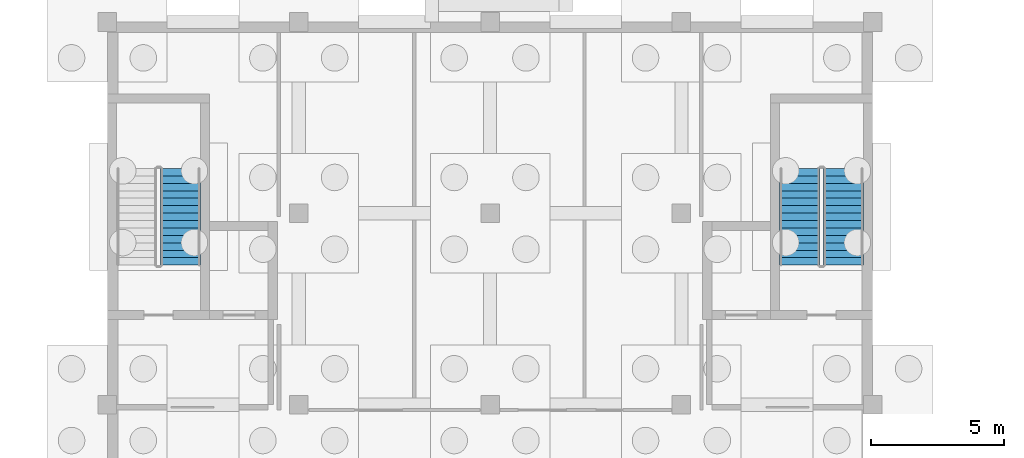
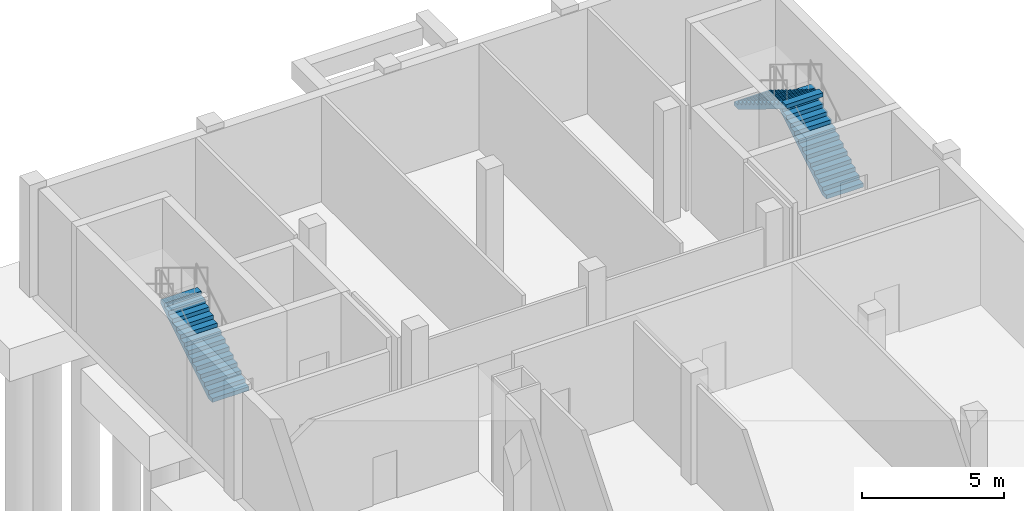
# One storey, part 26 of 35: 3 stair flights, 2 elements without a shape of their own.
"""IFC4 building model written with IfcOpenShell, lengths in metres."""

from ifc_helpers import new_model, si_unit, direction, frame, origin, place, context, subcontext, project, spatial, polyline, outline, extrude, material, type_object, element, aggregate, save


model = new_model("IFC4")

# Units and contexts
model_context = context("Model", 3, precision=1e-05, world=origin(), true_north=direction((0.0, 1.0)))
body_context = subcontext(model_context, "Body", "Model", "MODEL_VIEW")
ifc_project = project(units=[si_unit("LENGTHUNIT", "METRE"), si_unit("AREAUNIT", "SQUARE_METRE"), si_unit("VOLUMEUNIT", "CUBIC_METRE"), si_unit("PLANEANGLEUNIT", "RADIAN"), si_unit("MASSUNIT", "GRAM", prefix="KILO")], contexts=[model_context])

# Site, building, storey
site_placement = place(None, origin())
site = spatial("IfcSite", under=ifc_project, at=site_placement, CompositionType="ELEMENT")
building_placement = place(site_placement, origin())
building = spatial("IfcBuilding", under=site, at=building_placement, Name="Zarrinpeak Specialist Clinic", CompositionType="ELEMENT")
storey_placement = place(building_placement, frame((0.0, 0.0, -4.800048828125)))
storey = spatial("IfcBuildingStorey", under=building, at=storey_placement, Name="B01", CompositionType="ELEMENT", Elevation=-4.800048828125)

# Stair, stair flight
ifc_material = material(Name="Concrete C35/45", Category="concrete")
stair_type = type_object("IfcStairType", Name="ST-DOG", PredefinedType="HALF_TURN_STAIR", material=ifc_material)
stair_1_placement = place(storey_placement, origin())
stair_1 = element("IfcStair", 1, at=stair_1_placement, inside=storey, type_object=stair_type, Name="B01 Protected Exit Stair ST-11", PredefinedType="HALF_TURN_STAIR")
stair_flight_type = type_object("IfcStairFlightType", Name="STF-150", PredefinedType="STRAIGHT", material=ifc_material)
stair_flight_1_placement = place(storey_placement, frame((38.75, 108.85009765625, 0.0), z_axis=(0.0, 0.0, 1.0), x_axis=(0.0, 1.0, 0.0)))
stair_flight_1 = element("IfcStairFlight", 2, at=stair_flight_1_placement, type_object=stair_flight_type, Name="ST-11 flight 1", NumberOfRisers=14, NumberOfTreads=13, PredefinedType="STRAIGHT", RiserHeight=0.171428571, TreadLength=0.28, context=body_context, shape_type="SweptSolid", body=[
    extrude(outline(polyline([(0.0, 0.0), (0.0, 0.17138671875), (0.280029296875, 0.17138671875), (0.280029296875, 0.3427734375), (0.56005859375, 0.3427734375), (0.56005859375, 0.514404296875), (0.840087890625, 0.514404296875), (0.840087890625, 0.685791015625), (1.1201171875, 0.685791015625), (1.1201171875, 0.857177734375), (1.39990234375, 0.857177734375), (1.39990234375, 1.028564453125), (1.679931640625, 1.028564453125), (1.679931640625, 1.199951171875), (1.9599609375, 1.199951171875), (1.9599609375, 1.371337890625), (2.239990234375, 1.371337890625), (2.239990234375, 1.54296875), (2.52001953125, 1.54296875), (2.52001953125, 1.71435546875), (2.800048828125, 1.71435546875), (2.800048828125, 1.8857421875), (3.080078125, 1.8857421875), (3.080078125, 2.05712890625), (3.360107421875, 2.05712890625), (3.360107421875, 2.228515625), (3.639892578125, 2.228515625), (3.639892578125, 2.39990234375), (3.639892578125, 2.052734375), (0.287109375, 0.0), (0.0, 0.0)])), frame((0.0, 0.75, 0.0), z_axis=(0.0, -1.0, 0.0), x_axis=(1.0, 0.0, 0.0)), (0.0, 0.0, 1.0), 1.5),
])
aggregate(stair_1, [stair_flight_1])

# Stair, stair flights
stair_2_placement = place(storey_placement, origin())
stair_2 = element("IfcStair", 3, at=stair_2_placement, inside=storey, type_object=stair_type, Name="B01 Protected Exit Stair ST-12", PredefinedType="HALF_TURN_STAIR")
stair_flight_2_placement = place(storey_placement, frame((63.699951171875, 108.85009765625, 0.0), z_axis=(0.0, 0.0, 1.0), x_axis=(0.0, 1.0, 0.0)))
stair_flight_2 = element("IfcStairFlight", 4, at=stair_flight_2_placement, type_object=stair_flight_type, Name="ST-12 flight 1", NumberOfRisers=14, NumberOfTreads=13, PredefinedType="STRAIGHT", RiserHeight=0.171428571, TreadLength=0.28, context=body_context, shape_type="SweptSolid", body=[
    extrude(outline(polyline([(0.0, 0.0), (0.0, 0.17138671875), (0.280029296875, 0.17138671875), (0.280029296875, 0.3427734375), (0.56005859375, 0.3427734375), (0.56005859375, 0.514404296875), (0.840087890625, 0.514404296875), (0.840087890625, 0.685791015625), (1.1201171875, 0.685791015625), (1.1201171875, 0.857177734375), (1.39990234375, 0.857177734375), (1.39990234375, 1.028564453125), (1.679931640625, 1.028564453125), (1.679931640625, 1.199951171875), (1.9599609375, 1.199951171875), (1.9599609375, 1.371337890625), (2.239990234375, 1.371337890625), (2.239990234375, 1.54296875), (2.52001953125, 1.54296875), (2.52001953125, 1.71435546875), (2.800048828125, 1.71435546875), (2.800048828125, 1.8857421875), (3.080078125, 1.8857421875), (3.080078125, 2.05712890625), (3.360107421875, 2.05712890625), (3.360107421875, 2.228515625), (3.639892578125, 2.228515625), (3.639892578125, 2.39990234375), (3.639892578125, 2.052734375), (0.287109375, 0.0), (0.0, 0.0)])), frame((0.0, 0.75, 0.0), z_axis=(0.0, -1.0, 0.0), x_axis=(1.0, 0.0, 0.0)), (0.0, 0.0, 1.0), 1.5),
])
stair_flight_3_placement = place(storey_placement, frame((62.050048828125, 112.489990234375, 2.400146484375), z_axis=(0.0, 0.0, 1.0), x_axis=(0.0, -1.0, 0.0)))
stair_flight_3 = element("IfcStairFlight", 5, at=stair_flight_3_placement, type_object=stair_flight_type, Name="ST-12 flight 2", NumberOfRisers=14, NumberOfTreads=13, PredefinedType="STRAIGHT", RiserHeight=0.171428571, TreadLength=0.28, context=body_context, shape_type="SweptSolid", body=[
    extrude(outline(polyline([(0.0, 0.0), (0.0, 0.17138671875), (0.280029296875, 0.17138671875), (0.280029296875, 0.3427734375), (0.56005859375, 0.3427734375), (0.56005859375, 0.514404296875), (0.840087890625, 0.514404296875), (0.840087890625, 0.685791015625), (1.1201171875, 0.685791015625), (1.1201171875, 0.857177734375), (1.39990234375, 0.857177734375), (1.39990234375, 1.028564453125), (1.679931640625, 1.028564453125), (1.679931640625, 1.199951171875), (1.9599609375, 1.199951171875), (1.9599609375, 1.371337890625), (2.239990234375, 1.371337890625), (2.239990234375, 1.54296875), (2.52001953125, 1.54296875), (2.52001953125, 1.71435546875), (2.800048828125, 1.71435546875), (2.800048828125, 1.8857421875), (3.080078125, 1.8857421875), (3.080078125, 2.05712890625), (3.360107421875, 2.05712890625), (3.360107421875, 2.228515625), (3.639892578125, 2.228515625), (3.639892578125, 2.39990234375), (3.639892578125, 2.052734375), (0.287109375, 0.0), (0.0, 0.0)])), frame((0.0, 0.75, 0.0), z_axis=(0.0, -1.0, 0.0), x_axis=(1.0, 0.0, 0.0)), (0.0, 0.0, 1.0), 1.5),
])
aggregate(stair_2, [stair_flight_2, stair_flight_3])

save(model, "model.ifc")
